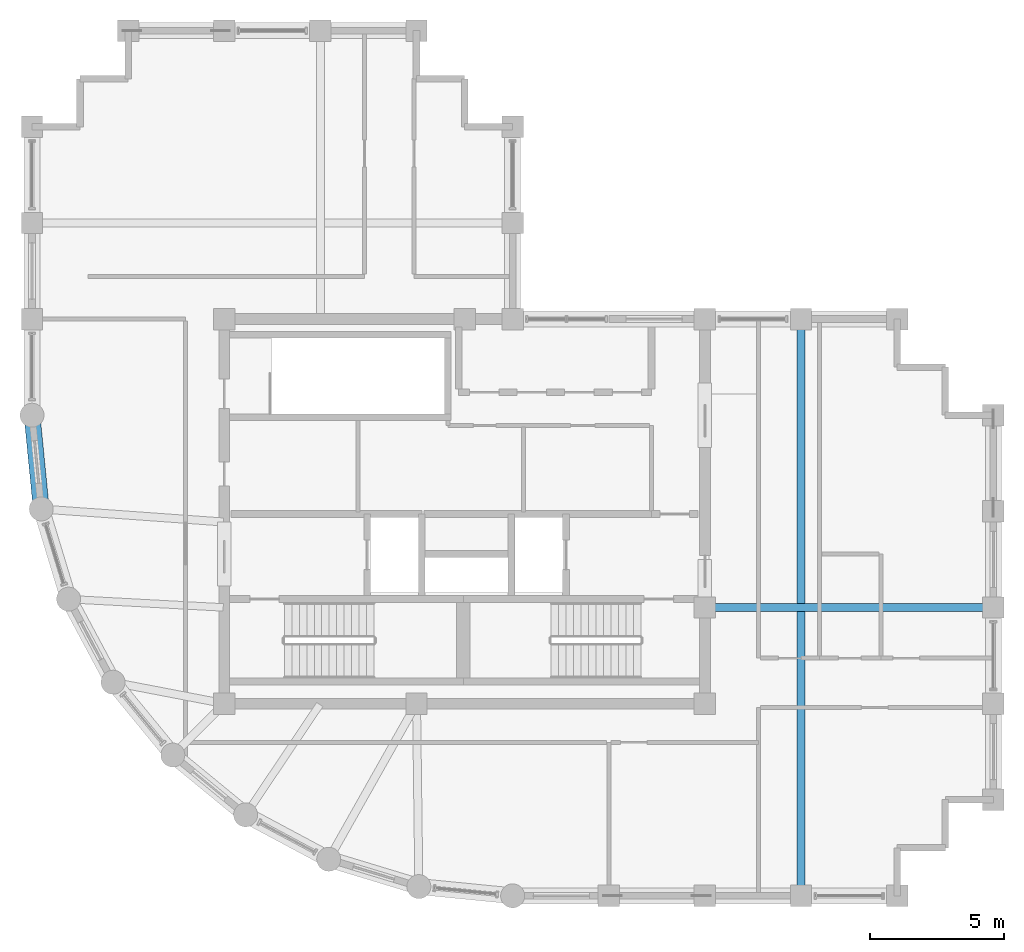
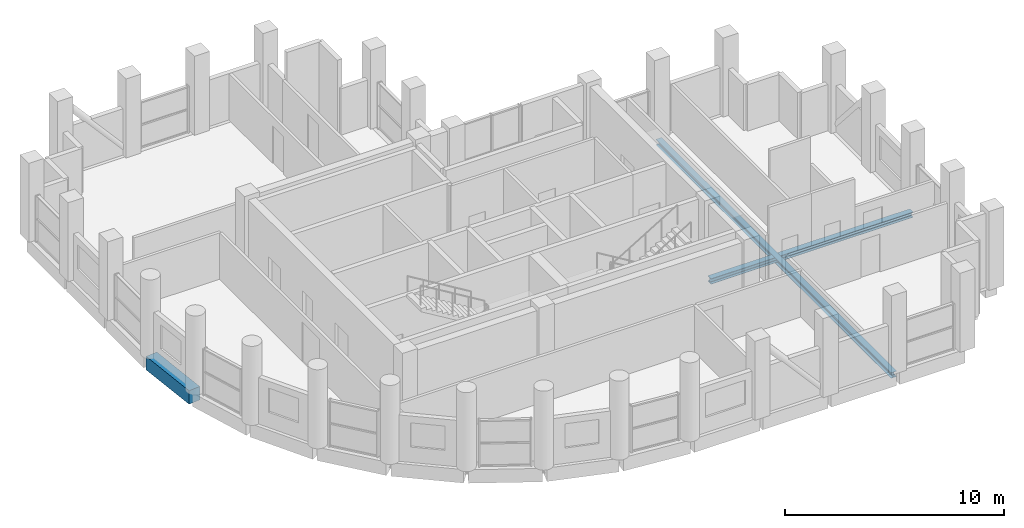
# One storey, part 4 of 14: 3 beams.
"""IFC4 building model written with IfcOpenShell, lengths in metres."""

from ifc_helpers import new_model, si_unit, direction, frame, origin, origin_2d, place, context, subcontext, project, spatial, rectangle, i_section, extrude, material, material_profile, profile_set, type_object, element, save


model = new_model("IFC4")

# Units and contexts
model_context = context("Model", 3, precision=1e-05, world=origin(), true_north=direction((0.0, 1.0)))
body_context = subcontext(model_context, "Body", "Model", "MODEL_VIEW")
ifc_project = project(units=[si_unit("LENGTHUNIT", "METRE"), si_unit("AREAUNIT", "SQUARE_METRE"), si_unit("VOLUMEUNIT", "CUBIC_METRE"), si_unit("PLANEANGLEUNIT", "RADIAN"), si_unit("MASSUNIT", "GRAM", prefix="KILO")], contexts=[model_context])

# Site, building, storey
site_placement = place(None, origin())
site = spatial("IfcSite", under=ifc_project, at=site_placement, CompositionType="ELEMENT")
building_placement = place(site_placement, origin())
building = spatial("IfcBuilding", under=site, at=building_placement, Name="Solnavia Interchange Tower", CompositionType="ELEMENT")
storey_placement = place(building_placement, frame((0.0, 0.0, 299.800048828125)))
storey = spatial("IfcBuildingStorey", under=building, at=storey_placement, Name="L76", CompositionType="ELEMENT", Elevation=299.800048828125)

# Beams
ifc_material_1 = material(Name="Steel S460", Category="steel")
ifc_material_profile_1 = material_profile(ifc_material_1, i_section(OverallWidth=0.300048828125, OverallDepth=0.300048828125, WebThickness=0.010986328125, FlangeThickness=0.01904296875, FilletRadius=0.027099609375, at=origin_2d()), Name="HEB 300")
ifc_profile_set_1 = profile_set([ifc_material_profile_1], Name="Steel S460")
beam_type_1 = type_object("IfcBeamType", Name="Beam-Girder-HEB300", PredefinedType="BEAM", material=ifc_profile_set_1)
beam_1_placement = place(storey_placement, frame((32.47998046875, 14.39990234375, -0.400146484375), z_axis=(1.0, 0.0, 0.0), x_axis=(0.0, 1.0, 0.0)))
element("IfcBeam", 1, at=beam_1_placement, inside=storey, type_object=beam_type_1, Name="GRD-L76-ES01 East wing spine girder", PredefinedType="BEAM", context=body_context, shape_type="SweptSolid", body=[
    extrude(i_section(OverallWidth=0.300048828125, OverallDepth=0.300048828125, WebThickness=0.010986328125, FlangeThickness=0.01904296875, FilletRadius=0.027099609375, at=origin_2d()), origin(), (0.0, 0.0, 1.0), 10.64013671875),
])
ifc_material_2 = material(Name="Steel S355", Category="steel")
ifc_material_profile_2 = material_profile(ifc_material_2, i_section(OverallWidth=0.300048828125, OverallDepth=0.31005859375, WebThickness=0.009033203125, FlangeThickness=0.015380859375, FilletRadius=0.027099609375, at=origin_2d()), Name="HEA 320")
ifc_profile_set_2 = profile_set([ifc_material_profile_2], Name="Steel S355")
beam_type_2 = type_object("IfcBeamType", Name="Beam-Primary-HEA320", PredefinedType="BEAM", material=ifc_profile_set_2)
beam_2_placement = place(storey_placement, frame((36.0, 3.679931640625, -0.405029296875), z_axis=(0.0, 1.0, 0.0), x_axis=(-1.0, 0.0, 0.0)))
element("IfcBeam", 2, at=beam_2_placement, inside=storey, type_object=beam_type_2, Name="GRD-L76-EW02 East wing primary floor girder", PredefinedType="BEAM", context=body_context, shape_type="SweptSolid", body=[
    extrude(i_section(OverallWidth=0.300048828125, OverallDepth=0.31005859375, WebThickness=0.009033203125, FlangeThickness=0.015380859375, FilletRadius=0.027099609375, at=origin_2d()), origin(), (0.0, 0.0, 1.0), 21.440185546875),
])
ifc_material_3 = material(Name="Concrete C50/60", Category="concrete")
ifc_material_profile_3 = material_profile(ifc_material_3, rectangle(XDim=0.60009765625, YDim=0.75, at=origin_2d()), Name="RC 600x750")
ifc_profile_set_3 = profile_set([ifc_material_profile_3], Name="Concrete C50/60")
beam_type_3 = type_object("IfcBeamType", Name="Beam-Spandrel-RC600x750", PredefinedType="SPANDREL", material=ifc_profile_set_3)
beam_3_placement = place(storey_placement, frame((7.207763671875, 21.5205078125, -0.375), z_axis=(0.098040038117, -0.995182471171, 0.0), x_axis=(0.995182471171, 0.098040038117, 0.0)))
element("IfcBeam", 3, at=beam_3_placement, inside=storey, type_object=beam_type_3, Name="SPB-L76-01 Framed-tube perimeter spandrel beam", PredefinedType="SPANDREL", context=body_context, shape_type="SweptSolid", body=[
    extrude(rectangle(XDim=0.60009765625, YDim=0.75, at=origin_2d()), origin(), (0.0, 0.0, 1.0), 3.369140625),
])

save(model, "model.ifc")
